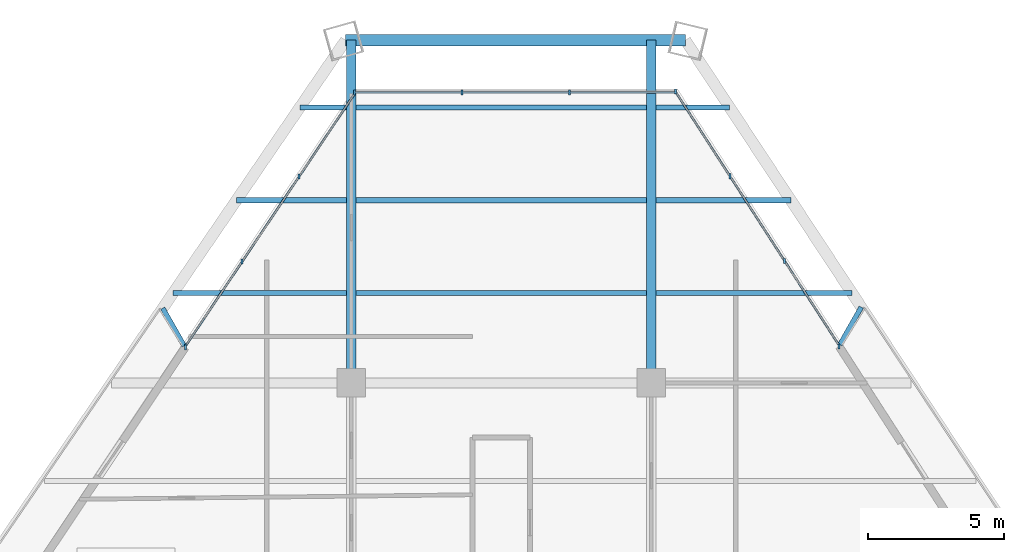
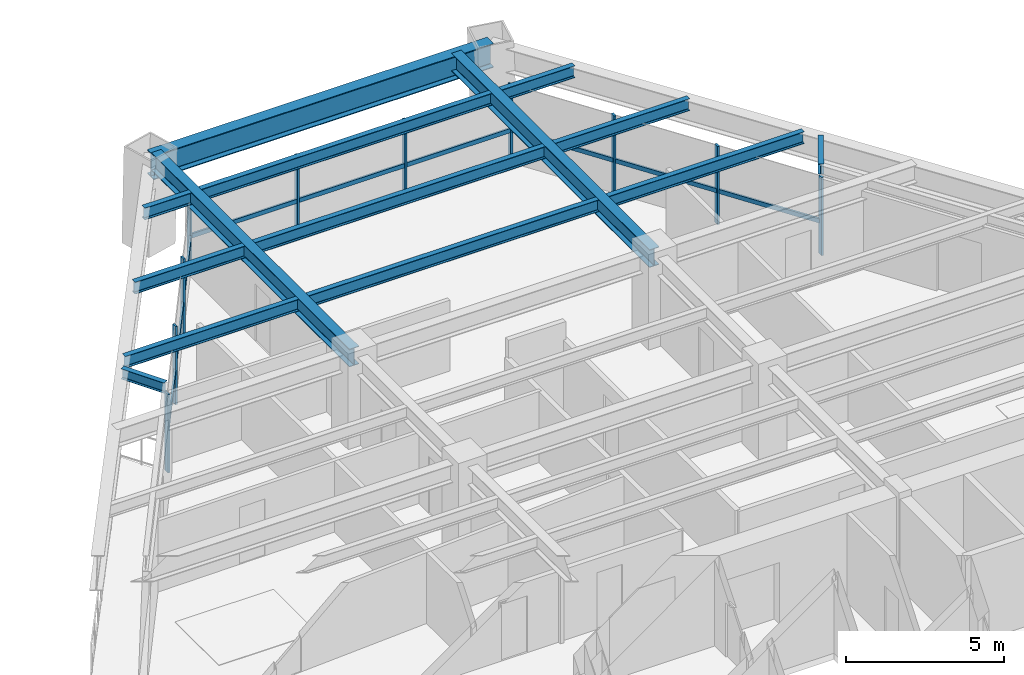
# One storey, part 8 of 14: 20 members, 14 beams, 3 elements without a shape of their own.
"""IFC4 building model written with IfcOpenShell, lengths in metres."""

from ifc_helpers import new_model, si_unit, direction, frame, origin, origin_2d, place, context, subcontext, project, spatial, rectangle, i_section, extrude, source, transform, mapped, material, material_profile, profile_set, type_object, type_shapes, element, aggregate, save


model = new_model("IFC4")

# Units and contexts
model_context = context("Model", 3, precision=1e-05, world=origin(), true_north=direction((0.0, 1.0)))
body_context = subcontext(model_context, "Body", "Model", "MODEL_VIEW")
ifc_project = project(units=[si_unit("LENGTHUNIT", "METRE"), si_unit("AREAUNIT", "SQUARE_METRE"), si_unit("VOLUMEUNIT", "CUBIC_METRE"), si_unit("PLANEANGLEUNIT", "RADIAN"), si_unit("MASSUNIT", "GRAM", prefix="KILO")], contexts=[model_context])

# Site, building, storey
site_placement = place(None, origin())
site = spatial("IfcSite", under=ifc_project, at=site_placement, CompositionType="ELEMENT")
building_placement = place(site_placement, origin())
building = spatial("IfcBuilding", under=site, at=building_placement, Name="Varnakhor Terracotta Tower", CompositionType="ELEMENT")
storey_placement = place(building_placement, frame((0.0, 0.0, 102.5)))
storey = spatial("IfcBuildingStorey", under=building, at=storey_placement, Name="L25", CompositionType="ELEMENT", Elevation=102.5)

# Beams
ifc_material_1 = material(Name="Steel S355", Category="steel")
ifc_material_profile_1 = material_profile(ifc_material_1, i_section(OverallWidth=0.19189453125, OverallDepth=0.462890625, WebThickness=0.010498046875, FlangeThickness=0.017578125, FilletRadius=0.01806640625, at=origin_2d()), Name="W18X60")
ifc_profile_set_1 = profile_set([ifc_material_profile_1], Name="Steel S355")
beam_type_1 = type_object("IfcBeamType", Name="JST-W18X60", PredefinedType="JOIST", material=ifc_profile_set_1)
shared_shape_1 = source(origin(), body_context, "Body", "SweptSolid", [
    extrude(i_section(OverallWidth=0.19189453125, OverallDepth=0.462890625, WebThickness=0.010498046875, FlangeThickness=0.017578125, FilletRadius=0.01806640625, at=origin_2d()), origin(), (0.0, 0.0, 1.0), 10.65283203125),
])
for number, where, z_axis, x_axis, name in (
    (1, (-5.326416015625, 34.800048828125, 3.218505859375), (1.0, 0.0, 0.0), (0.0, 1.0, 0.0), "L25 Composite Floor Joist 7-2"),
    (2, (-5.326416015625, 38.199951171875, 3.218505859375), (1.0, 0.0, 0.0), (0.0, 1.0, 0.0), "L25 Composite Floor Joist 8-2"),
    (3, (-5.326416015625, 41.60009765625, 3.218505859375), (1.0, 0.0, 0.0), (0.0, 1.0, 0.0), "L25 Composite Floor Joist 9-2"),
):
    element("IfcBeam", number, at=place(storey_placement, frame(where, z_axis=z_axis, x_axis=x_axis)), inside=storey, type_object=beam_type_1, Name=name, PredefinedType="JOIST", context=body_context, shape_type="MappedRepresentation", body=[
        mapped(shared_shape_1, transform((0.0, 0.0, 0.0), scale=1.0)),
    ])
ifc_material_profile_2 = material_profile(ifc_material_1, i_section(OverallWidth=0.41796875, OverallDepth=0.927001953125, WebThickness=0.01904296875, FlangeThickness=0.031982421875, FilletRadius=0.01806640625, at=origin_2d()), Name="W36X231")
ifc_profile_set_2 = profile_set([ifc_material_profile_2], Name="Steel S355")
beam_type_2 = type_object("IfcBeamType", Name="BM-W36X231", PredefinedType="BEAM", material=ifc_profile_set_2)
shared_shape_2 = source(origin(), body_context, "Body", "SweptSolid", [
    extrude(i_section(OverallWidth=0.41796875, OverallDepth=0.927001953125, WebThickness=0.01904296875, FlangeThickness=0.031982421875, FilletRadius=0.01806640625, at=origin_2d()), origin(), (0.0, 0.0, 1.0), 12.453369140625),
])
beam_1_placement = place(storey_placement, frame((6.748291015625, 44.0673828125, 2.986572265625), z_axis=(-1.0, 0.0, 0.0), x_axis=(0.0, -1.0, 0.0)))
element("IfcBeam", 4, at=beam_1_placement, inside=storey, type_object=beam_type_2, Name="L25 Perimeter Spandrel 5", PredefinedType="BEAM", context=body_context, shape_type="MappedRepresentation", body=[
    mapped(shared_shape_2, transform((0.0, 0.0, 0.0), scale=1.0)),
])
ifc_material_profile_3 = material_profile(ifc_material_1, i_section(OverallWidth=0.35498046875, OverallDepth=0.695068359375, WebThickness=0.014892578125, FlangeThickness=0.02490234375, FilletRadius=0.01806640625, at=origin_2d()), Name="W27X146")
ifc_profile_set_3 = profile_set([ifc_material_profile_3], Name="Steel S355")
beam_type_3 = type_object("IfcBeamType", Name="BM-W27X146", PredefinedType="BEAM", material=ifc_profile_set_3)
shared_shape_3 = source(origin(), body_context, "Body", "SweptSolid", [
    extrude(i_section(OverallWidth=0.35498046875, OverallDepth=0.695068359375, WebThickness=0.014892578125, FlangeThickness=0.02490234375, FilletRadius=0.01806640625, at=origin_2d()), origin(), (0.0, 0.0, 1.0), 12.5673828125),
])
for number, where, z_axis, x_axis, name in (
    (5, (-5.5, 31.5, 3.1025390625), (0.0, 1.0, 0.0), (-1.0, 0.0, 0.0), "L25 Primary Girder NS3-W"),
    (6, (5.5, 31.5, 3.1025390625), (0.0, 1.0, 0.0), (-1.0, 0.0, 0.0), "L25 Primary Girder NS3-E"),
):
    element("IfcBeam", number, at=place(storey_placement, frame(where, z_axis=z_axis, x_axis=x_axis)), inside=storey, type_object=beam_type_3, Name=name, PredefinedType="BEAM", context=body_context, shape_type="MappedRepresentation", body=[
        mapped(shared_shape_3, transform((0.0, 0.0, 0.0), scale=1.0)),
    ])
shared_shape_4 = source(origin(), body_context, "Body", "SweptSolid", [
    extrude(i_section(OverallWidth=0.19189453125, OverallDepth=0.462890625, WebThickness=0.010498046875, FlangeThickness=0.017578125, FilletRadius=0.01806640625, at=origin_2d()), origin(), (0.0, 0.0, 1.0), 6.3583984375),
])
beam_2_placement = place(storey_placement, frame((-12.031982421875, 34.800048828125, 3.218505859375), z_axis=(1.0, 0.0, 0.0), x_axis=(0.0, 1.0, 0.0)))
element("IfcBeam", 7, at=beam_2_placement, inside=storey, type_object=beam_type_1, Name="L25 Composite Floor Joist 7-1", PredefinedType="JOIST", context=body_context, shape_type="MappedRepresentation", body=[
    mapped(shared_shape_4, transform((0.0, 0.0, 0.0), scale=1.0)),
])
shared_shape_5 = source(origin(), body_context, "Body", "SweptSolid", [
    extrude(i_section(OverallWidth=0.19189453125, OverallDepth=0.462890625, WebThickness=0.010498046875, FlangeThickness=0.017578125, FilletRadius=0.01806640625, at=origin_2d()), origin(), (0.0, 0.0, 1.0), 7.18212890625),
])
beam_3_placement = place(storey_placement, frame((5.673583984375, 34.800048828125, 3.218505859375), z_axis=(1.0, 0.0, 0.0), x_axis=(0.0, 1.0, 0.0)))
element("IfcBeam", 8, at=beam_3_placement, inside=storey, type_object=beam_type_1, Name="L25 Composite Floor Joist 7-3", PredefinedType="JOIST", context=body_context, shape_type="MappedRepresentation", body=[
    mapped(shared_shape_5, transform((0.0, 0.0, 0.0), scale=1.0)),
])
shared_shape_6 = source(origin(), body_context, "Body", "SweptSolid", [
    extrude(i_section(OverallWidth=0.19189453125, OverallDepth=0.462890625, WebThickness=0.010498046875, FlangeThickness=0.017578125, FilletRadius=0.01806640625, at=origin_2d()), origin(), (0.0, 0.0, 1.0), 4.037109375),
])
beam_4_placement = place(storey_placement, frame((-9.710693359375, 38.199951171875, 3.218505859375), z_axis=(1.0, 0.0, 0.0), x_axis=(0.0, 1.0, 0.0)))
element("IfcBeam", 9, at=beam_4_placement, inside=storey, type_object=beam_type_1, Name="L25 Composite Floor Joist 8-1", PredefinedType="JOIST", context=body_context, shape_type="MappedRepresentation", body=[
    mapped(shared_shape_6, transform((0.0, 0.0, 0.0), scale=1.0)),
])
shared_shape_7 = source(origin(), body_context, "Body", "SweptSolid", [
    extrude(i_section(OverallWidth=0.19189453125, OverallDepth=0.462890625, WebThickness=0.010498046875, FlangeThickness=0.017578125, FilletRadius=0.01806640625, at=origin_2d()), origin(), (0.0, 0.0, 1.0), 4.94140625),
])
beam_5_placement = place(storey_placement, frame((5.673583984375, 38.199951171875, 3.218505859375), z_axis=(1.0, 0.0, 0.0), x_axis=(0.0, 1.0, 0.0)))
element("IfcBeam", 10, at=beam_5_placement, inside=storey, type_object=beam_type_1, Name="L25 Composite Floor Joist 8-3", PredefinedType="JOIST", context=body_context, shape_type="MappedRepresentation", body=[
    mapped(shared_shape_7, transform((0.0, 0.0, 0.0), scale=1.0)),
])
shared_shape_8 = source(origin(), body_context, "Body", "SweptSolid", [
    extrude(i_section(OverallWidth=0.19189453125, OverallDepth=0.462890625, WebThickness=0.010498046875, FlangeThickness=0.017578125, FilletRadius=0.01806640625, at=origin_2d()), origin(), (0.0, 0.0, 1.0), 1.716064453125),
])
beam_6_placement = place(storey_placement, frame((-7.3896484375, 41.60009765625, 3.218505859375), z_axis=(1.0, 0.0, 0.0), x_axis=(0.0, 1.0, 0.0)))
element("IfcBeam", 11, at=beam_6_placement, inside=storey, type_object=beam_type_1, Name="L25 Composite Floor Joist 9-1", PredefinedType="JOIST", context=body_context, shape_type="MappedRepresentation", body=[
    mapped(shared_shape_8, transform((0.0, 0.0, 0.0), scale=1.0)),
])
shared_shape_9 = source(origin(), body_context, "Body", "SweptSolid", [
    extrude(i_section(OverallWidth=0.19189453125, OverallDepth=0.462890625, WebThickness=0.010498046875, FlangeThickness=0.017578125, FilletRadius=0.01806640625, at=origin_2d()), origin(), (0.0, 0.0, 1.0), 2.70068359375),
])
beam_7_placement = place(storey_placement, frame((5.673583984375, 41.60009765625, 3.218505859375), z_axis=(1.0, 0.0, 0.0), x_axis=(0.0, 1.0, 0.0)))
element("IfcBeam", 12, at=beam_7_placement, inside=storey, type_object=beam_type_1, Name="L25 Composite Floor Joist 9-3", PredefinedType="JOIST", context=body_context, shape_type="MappedRepresentation", body=[
    mapped(shared_shape_9, transform((0.0, 0.0, 0.0), scale=1.0)),
])

# Curtain wall, members
ifc_material_2 = material(Name="Anodised Aluminium Curtain Wall System", Category="aluminium")
curtain_wall_type = type_object("IfcCurtainWallType", Name="CW-SYS-LOW-OFFICE", PredefinedType="NOTDEFINED", material=ifc_material_2)
curtain_wall_1_placement = place(storey_placement, origin())
curtain_wall_1 = element("IfcCurtainWall", 13, at=curtain_wall_1_placement, inside=storey, type_object=curtain_wall_type, Name="L25 W Facet Curtain Wall 2", PredefinedType="NOTDEFINED")
ifc_material_3 = material(Name="Anodised Aluminium 6063-T6", Category="aluminium")
ifc_material_profile_4 = material_profile(ifc_material_3, rectangle(XDim=0.074951171875, YDim=0.18505859375, at=origin_2d()), Name="ALU MULLION 75x185")
ifc_profile_set_4 = profile_set([ifc_material_profile_4], Name="Anodised Aluminium 6063-T6")
member_type_1 = type_object("IfcMemberType", Name="CWM-02", PredefinedType="MULLION", material=ifc_profile_set_4)
shared_shape_10 = source(origin(), body_context, "Body", "SweptSolid", [
    extrude(rectangle(XDim=0.074951171875, YDim=0.18505859375, at=origin_2d()), origin(), (0.0, 0.0, 1.0), 3.030029296875),
])
type_shapes(member_type_1, [shared_shape_10])
member_1_placement = place(storey_placement, frame((-11.58740234375, 32.834716796875, 0.0), z_axis=(0.0, 0.0, 1.0), x_axis=(1.0, 0.0, 0.0)))
member_1 = element("IfcMember", 14, at=member_1_placement, type_object=member_type_1, Name="L25 W Facet Curtain Wall 2 Mullion 1", PredefinedType="MULLION", context=body_context, shape_type="MappedRepresentation", body=[
    mapped(shared_shape_10, transform((0.0, 0.0, 0.0), scale=1.0)),
])
member_2_placement = place(storey_placement, frame((-9.501220703125, 35.94921875, 0.0), z_axis=(0.0, 0.0, 1.0), x_axis=(1.0, 0.0, 0.0)))
member_2 = element("IfcMember", 15, at=member_2_placement, type_object=member_type_1, Name="L25 W Facet Curtain Wall 2 Mullion 2", PredefinedType="MULLION", context=body_context, shape_type="MappedRepresentation", body=[
    mapped(shared_shape_10, transform((0.0, 0.0, 0.0), scale=1.0)),
])
member_3_placement = place(storey_placement, frame((-7.414794921875, 39.063720703125, 0.0), z_axis=(0.0, 0.0, 1.0), x_axis=(1.0, 0.0, 0.0)))
member_3 = element("IfcMember", 16, at=member_3_placement, type_object=member_type_1, Name="L25 W Facet Curtain Wall 2 Mullion 3", PredefinedType="MULLION", context=body_context, shape_type="MappedRepresentation", body=[
    mapped(shared_shape_10, transform((0.0, 0.0, 0.0), scale=1.0)),
])
member_4_placement = place(storey_placement, frame((-11.58740234375, 32.798828125, 0.0), z_axis=(0.0, 0.0, 1.0), x_axis=(1.0, 0.0, 0.0)))
member_4 = element("IfcMember", 17, at=member_4_placement, type_object=member_type_1, Name="L25 W Loggia Jamb Closure Mullion 2", PredefinedType="MULLION", context=body_context, shape_type="MappedRepresentation", body=[
    mapped(shared_shape_10, transform((0.0, 0.0, 0.0), scale=1.0)),
])

curtain_wall_2_placement = place(storey_placement, origin())
curtain_wall_2 = element("IfcCurtainWall", 18, at=curtain_wall_2_placement, inside=storey, type_object=curtain_wall_type, Name="L25 Facet Curtain Wall 2", PredefinedType="NOTDEFINED")
member_5_placement = place(storey_placement, frame((-5.381591796875, 42.14990234375, 0.0), z_axis=(0.0, 0.0, 1.0), x_axis=(1.0, 0.0, 0.0)))
member_5 = element("IfcMember", 19, at=member_5_placement, type_object=member_type_1, Name="L25 Facet Curtain Wall 2 Mullion 1", PredefinedType="MULLION", context=body_context, shape_type="MappedRepresentation", body=[
    mapped(shared_shape_10, transform((0.0, 0.0, 0.0), scale=1.0)),
])
member_6_placement = place(storey_placement, frame((-1.441162109375, 42.14990234375, 0.0), z_axis=(0.0, 0.0, 1.0), x_axis=(1.0, 0.0, 0.0)))
member_6 = element("IfcMember", 20, at=member_6_placement, type_object=member_type_1, Name="L25 Facet Curtain Wall 2 Mullion 2", PredefinedType="MULLION", context=body_context, shape_type="MappedRepresentation", body=[
    mapped(shared_shape_10, transform((0.0, 0.0, 0.0), scale=1.0)),
])
member_7_placement = place(storey_placement, frame((2.499267578125, 42.14990234375, 0.0), z_axis=(0.0, 0.0, 1.0), x_axis=(1.0, 0.0, 0.0)))
member_7 = element("IfcMember", 21, at=member_7_placement, type_object=member_type_1, Name="L25 Facet Curtain Wall 2 Mullion 3", PredefinedType="MULLION", context=body_context, shape_type="MappedRepresentation", body=[
    mapped(shared_shape_10, transform((0.0, 0.0, 0.0), scale=1.0)),
])

curtain_wall_3_placement = place(storey_placement, origin())
curtain_wall_3 = element("IfcCurtainWall", 22, at=curtain_wall_3_placement, inside=storey, type_object=curtain_wall_type, Name="L25 E Facet Curtain Wall 1", PredefinedType="NOTDEFINED")
member_8_placement = place(storey_placement, frame((6.38525390625, 42.1796875, 0.0), z_axis=(0.0, 0.0, 1.0), x_axis=(1.0, 0.0, 0.0)))
member_8 = element("IfcMember", 23, at=member_8_placement, type_object=member_type_1, Name="L25 E Facet Curtain Wall 1 Mullion 1", PredefinedType="MULLION", context=body_context, shape_type="MappedRepresentation", body=[
    mapped(shared_shape_10, transform((0.0, 0.0, 0.0), scale=1.0)),
])
member_9_placement = place(storey_placement, frame((8.385498046875, 39.07763671875, 0.0), z_axis=(0.0, 0.0, 1.0), x_axis=(1.0, 0.0, 0.0)))
member_9 = element("IfcMember", 24, at=member_9_placement, type_object=member_type_1, Name="L25 E Facet Curtain Wall 1 Mullion 2", PredefinedType="MULLION", context=body_context, shape_type="MappedRepresentation", body=[
    mapped(shared_shape_10, transform((0.0, 0.0, 0.0), scale=1.0)),
])
member_10_placement = place(storey_placement, frame((10.385498046875, 35.975830078125, 0.0), z_axis=(0.0, 0.0, 1.0), x_axis=(1.0, 0.0, 0.0)))
member_10 = element("IfcMember", 25, at=member_10_placement, type_object=member_type_1, Name="L25 E Facet Curtain Wall 1 Mullion 3", PredefinedType="MULLION", context=body_context, shape_type="MappedRepresentation", body=[
    mapped(shared_shape_10, transform((0.0, 0.0, 0.0), scale=1.0)),
])
member_11_placement = place(storey_placement, frame((12.38525390625, 32.837890625, 0.0), z_axis=(0.0, 0.0, 1.0), x_axis=(1.0, 0.0, 0.0)))
member_11 = element("IfcMember", 26, at=member_11_placement, type_object=member_type_1, Name="L25 E Loggia Jamb Closure Mullion 1", PredefinedType="MULLION", context=body_context, shape_type="MappedRepresentation", body=[
    mapped(shared_shape_10, transform((0.0, 0.0, 0.0), scale=1.0)),
])
ifc_material_profile_5 = material_profile(ifc_material_3, rectangle(XDim=0.074951171875, YDim=0.1650390625, at=origin_2d()), Name="ALU TRANSOM 75x165")
ifc_profile_set_5 = profile_set([ifc_material_profile_5], Name="Anodised Aluminium 6063-T6")
member_type_2 = type_object("IfcMemberType", Name="CWT-02", PredefinedType="USERDEFINED", material=ifc_profile_set_5)
shared_shape_11 = source(origin(), body_context, "Body", "SweptSolid", [
    extrude(rectangle(XDim=0.074951171875, YDim=0.1650390625, at=origin_2d()), origin(), (0.0, 0.0, 1.0), 3.690673828125),
])
member_12_placement = place(storey_placement, frame((8.385498046875, 39.07763671875, 1.272705078125), z_axis=(0.541903854472, -0.84044048719, 0.0), x_axis=(0.84044048719, 0.541903854472, 0.0)))
member_12 = element("IfcMember", 27, at=member_12_placement, type_object=member_type_2, Name="L25 E Facet Curtain Wall 1 Transom 2", ObjectType="TRANSOM", PredefinedType="USERDEFINED", context=body_context, shape_type="MappedRepresentation", body=[
    mapped(shared_shape_11, transform((0.0, 0.0, 0.0), scale=1.0)),
])

# Member
shared_shape_12 = source(origin(), body_context, "Body", "SweptSolid", [
    extrude(rectangle(XDim=0.074951171875, YDim=0.1650390625, at=origin_2d()), origin(), (0.0, 0.0, 1.0), 3.74853515625),
])
member_13_placement = place(storey_placement, frame((-11.58740234375, 32.834716796875, 1.272705078125), z_axis=(0.556517441149, 0.830835927062, 0.0), x_axis=(-0.830835927062, 0.556517441149, 0.0)))
member_13 = element("IfcMember", 28, at=member_13_placement, type_object=member_type_2, Name="L25 W Facet Curtain Wall 2 Transom 1", ObjectType="TRANSOM", PredefinedType="USERDEFINED", context=body_context, shape_type="MappedRepresentation", body=[
    mapped(shared_shape_12, transform((0.0, 0.0, 0.0), scale=1.0)),
])

member_14_placement = place(storey_placement, frame((-7.414794921875, 39.063720703125, 1.272705078125), z_axis=(0.55654755588, 0.830815754571, 0.0), x_axis=(-0.830815754571, 0.55654755588, 0.0)))
member_14 = element("IfcMember", 29, at=member_14_placement, type_object=member_type_2, Name="L25 W Facet Curtain Wall 2 Transom 3", ObjectType="TRANSOM", PredefinedType="USERDEFINED", context=body_context, shape_type="MappedRepresentation", body=[
    mapped(shared_shape_12, transform((0.0, 0.0, 0.0), scale=1.0)),
])

shared_shape_13 = source(origin(), body_context, "Body", "SweptSolid", [
    extrude(rectangle(XDim=0.074951171875, YDim=0.1650390625, at=origin_2d()), origin(), (0.0, 0.0, 1.0), 3.748779296875),
])
member_15_placement = place(storey_placement, frame((-9.501220703125, 35.94921875, 1.272705078125), z_axis=(0.556562395698, 0.83080581347, 0.0), x_axis=(-0.83080581347, 0.556562395698, 0.0)))
member_15 = element("IfcMember", 30, at=member_15_placement, type_object=member_type_2, Name="L25 W Facet Curtain Wall 2 Transom 2", ObjectType="TRANSOM", PredefinedType="USERDEFINED", context=body_context, shape_type="MappedRepresentation", body=[
    mapped(shared_shape_13, transform((0.0, 0.0, 0.0), scale=1.0)),
])

aggregate(curtain_wall_1, [member_1, member_13, member_2, member_15, member_3, member_14, member_4])

shared_shape_14 = source(origin(), body_context, "Body", "SweptSolid", [
    extrude(rectangle(XDim=0.074951171875, YDim=0.1650390625, at=origin_2d()), origin(), (0.0, 0.0, 1.0), 3.9404296875),
])
member_16_placement = place(storey_placement, frame((-5.381591796875, 42.14990234375, 1.272705078125), z_axis=(1.0, 0.0, 0.0), x_axis=(0.0, 1.0, 0.0)))
member_16 = element("IfcMember", 31, at=member_16_placement, type_object=member_type_2, Name="L25 Facet Curtain Wall 2 Transom 1", ObjectType="TRANSOM", PredefinedType="USERDEFINED", context=body_context, shape_type="MappedRepresentation", body=[
    mapped(shared_shape_14, transform((0.0, 0.0, 0.0), scale=1.0)),
])

member_17_placement = place(storey_placement, frame((-1.441162109375, 42.14990234375, 1.272705078125), z_axis=(1.0, 0.0, 0.0), x_axis=(0.0, 1.0, 0.0)))
member_17 = element("IfcMember", 32, at=member_17_placement, type_object=member_type_2, Name="L25 Facet Curtain Wall 2 Transom 2", ObjectType="TRANSOM", PredefinedType="USERDEFINED", context=body_context, shape_type="MappedRepresentation", body=[
    mapped(shared_shape_14, transform((0.0, 0.0, 0.0), scale=1.0)),
])

member_18_placement = place(storey_placement, frame((2.499267578125, 42.14990234375, 1.272705078125), z_axis=(1.0, 0.0, 0.0), x_axis=(0.0, 1.0, 0.0)))
member_18 = element("IfcMember", 33, at=member_18_placement, type_object=member_type_2, Name="L25 Facet Curtain Wall 2 Transom 3", ObjectType="TRANSOM", PredefinedType="USERDEFINED", context=body_context, shape_type="MappedRepresentation", body=[
    mapped(shared_shape_14, transform((0.0, 0.0, 0.0), scale=1.0)),
])

aggregate(curtain_wall_2, [member_5, member_16, member_6, member_17, member_7, member_18])

shared_shape_15 = source(origin(), body_context, "Body", "SweptSolid", [
    extrude(rectangle(XDim=0.074951171875, YDim=0.1650390625, at=origin_2d()), origin(), (0.0, 0.0, 1.0), 3.69091796875),
])
member_19_placement = place(storey_placement, frame((6.38525390625, 42.1796875, 1.272705078125), z_axis=(0.541920450127, -0.84042978632, 0.0), x_axis=(0.84042978632, 0.541920450127, 0.0)))
member_19 = element("IfcMember", 34, at=member_19_placement, type_object=member_type_2, Name="L25 E Facet Curtain Wall 1 Transom 1", ObjectType="TRANSOM", PredefinedType="USERDEFINED", context=body_context, shape_type="MappedRepresentation", body=[
    mapped(shared_shape_15, transform((0.0, 0.0, 0.0), scale=1.0)),
])

member_20_placement = place(storey_placement, frame((10.385498046875, 35.975830078125, 1.272705078125), z_axis=(0.541920450127, -0.84042978632, 0.0), x_axis=(0.84042978632, 0.541920450127, 0.0)))
member_20 = element("IfcMember", 35, at=member_20_placement, type_object=member_type_2, Name="L25 E Facet Curtain Wall 1 Transom 3", ObjectType="TRANSOM", PredefinedType="USERDEFINED", context=body_context, shape_type="MappedRepresentation", body=[
    mapped(shared_shape_15, transform((0.0, 0.0, 0.0), scale=1.0)),
])

aggregate(curtain_wall_3, [member_8, member_19, member_9, member_12, member_10, member_20, member_11])

# Beams
ifc_material_profile_6 = material_profile(ifc_material_1, i_section(OverallWidth=0.179931640625, OverallDepth=0.39990234375, WebThickness=0.008544921875, FlangeThickness=0.013427734375, FilletRadius=0.01806640625, at=origin_2d()), Name="IPE400")
ifc_profile_set_6 = profile_set([ifc_material_profile_6], Name="Steel S355")
beam_type_4 = type_object("IfcBeamType", Name="JST-IPE400", PredefinedType="JOIST", material=ifc_profile_set_6)
shared_shape_16 = source(origin(), body_context, "Body", "SweptSolid", [
    extrude(i_section(OverallWidth=0.179931640625, OverallDepth=0.39990234375, WebThickness=0.008544921875, FlangeThickness=0.013427734375, FilletRadius=0.01806640625, at=origin_2d()), origin(), (0.0, 0.0, 1.0), 1.5888671875),
])
beam_8_placement = place(storey_placement, frame((-11.627197265625, 32.85888671875, 3.25), z_axis=(-0.496006550706, 0.868318778823, 0.0), x_axis=(-0.868318778823, -0.496006550706, 0.0)))
element("IfcBeam", 36, at=beam_8_placement, inside=storey, type_object=beam_type_4, Name="L26 W Loggia Tie Beam 2", PredefinedType="JOIST", context=body_context, shape_type="MappedRepresentation", body=[
    mapped(shared_shape_16, transform((0.0, 0.0, 0.0), scale=1.0)),
])
shared_shape_17 = source(origin(), body_context, "Body", "SweptSolid", [
    extrude(i_section(OverallWidth=0.179931640625, OverallDepth=0.39990234375, WebThickness=0.008544921875, FlangeThickness=0.013427734375, FilletRadius=0.01806640625, at=origin_2d()), origin(), (0.0, 0.0, 1.0), 1.589599609375),
])
beam_9_placement = place(storey_placement, frame((12.41259765625, 32.897705078125, 3.25), z_axis=(0.494848283401, 0.868979387797, 0.0), x_axis=(-0.868979387797, 0.494848283401, 0.0)))
element("IfcBeam", 37, at=beam_9_placement, inside=storey, type_object=beam_type_4, Name="L26 E Loggia Tie Beam 1", PredefinedType="JOIST", context=body_context, shape_type="MappedRepresentation", body=[
    mapped(shared_shape_17, transform((0.0, 0.0, 0.0), scale=1.0)),
])

save(model, "model.ifc")
